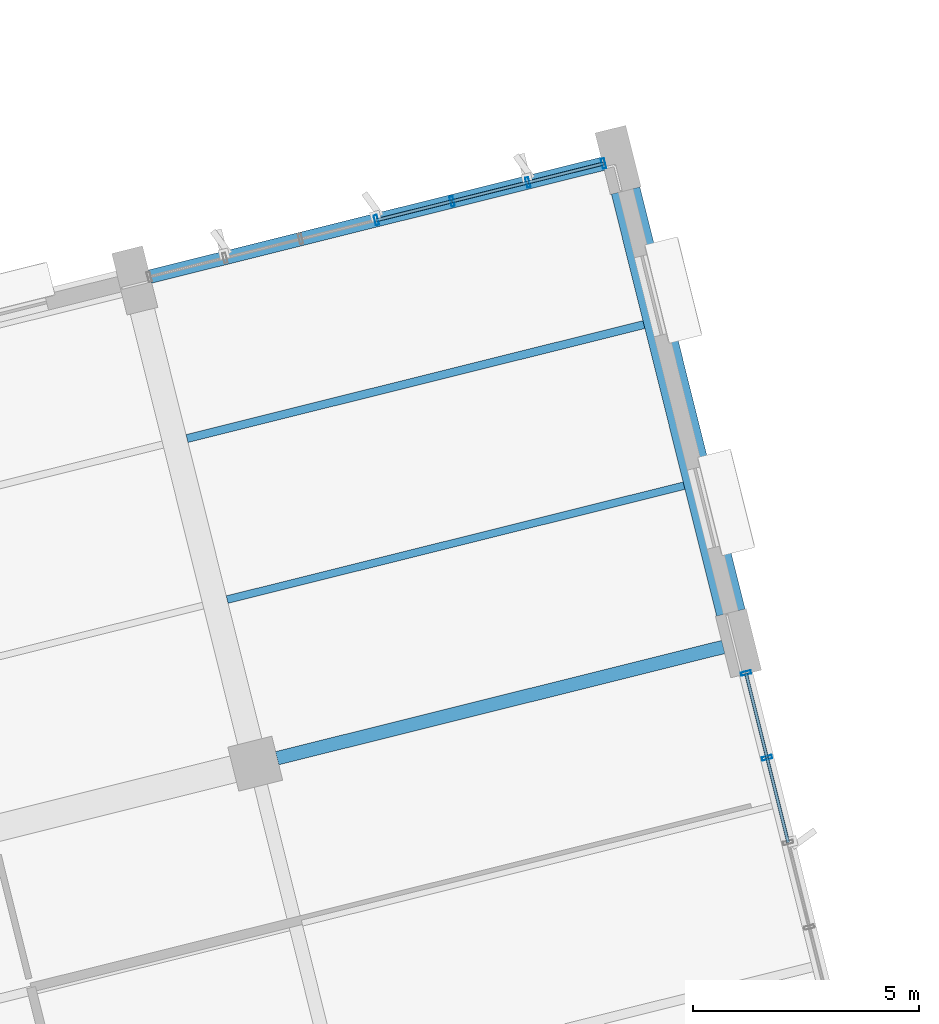
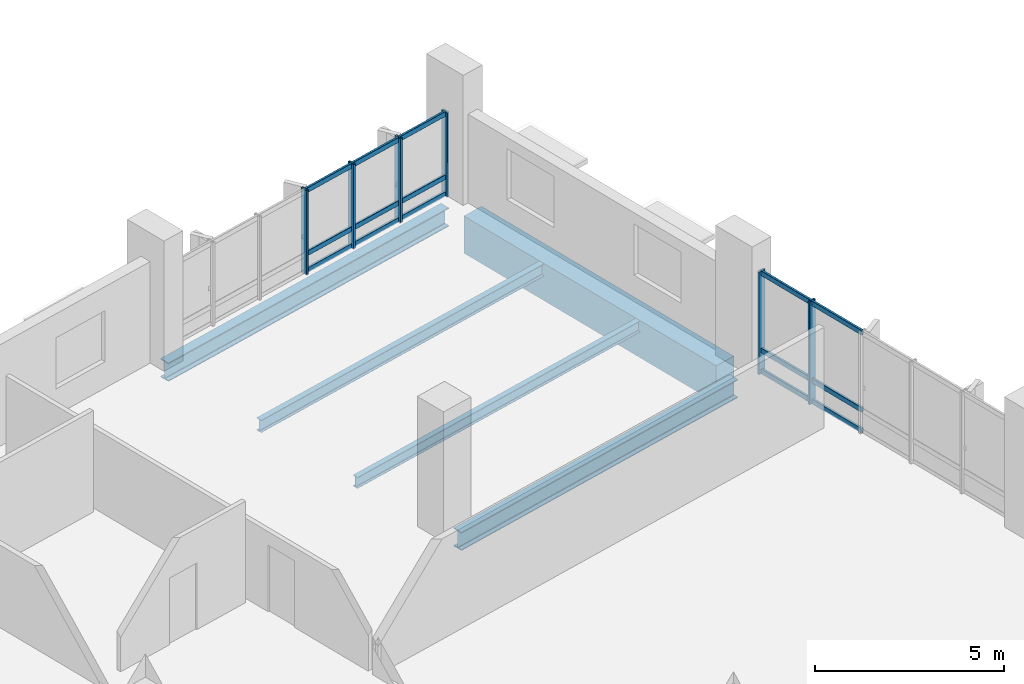
# One storey, part 49 of 75: 21 members, 5 beams, 2 elements without a shape of their own.
"""IFC4 building model written with IfcOpenShell, lengths in metres."""

from ifc_helpers import new_model, si_unit, direction, frame, origin, origin_2d, place, context, subcontext, project, spatial, rectangle, hollow_rectangle, i_section, extrude, material, layer, layer_set, material_profile, profile_set, type_object, element, aggregate, save


model = new_model("IFC4")

# Units and contexts
model_context = context("Model", 3, precision=1e-05, world=origin(), true_north=direction((0.0, 1.0)))
body_context = subcontext(model_context, "Body", "Model", "MODEL_VIEW")
ifc_project = project(units=[si_unit("LENGTHUNIT", "METRE"), si_unit("AREAUNIT", "SQUARE_METRE"), si_unit("VOLUMEUNIT", "CUBIC_METRE"), si_unit("PLANEANGLEUNIT", "RADIAN"), si_unit("MASSUNIT", "GRAM", prefix="KILO")], contexts=[model_context])

# Site, building, storey
site_placement = place(None, origin())
site = spatial("IfcSite", under=ifc_project, at=site_placement, CompositionType="ELEMENT")
building_placement = place(site_placement, origin())
building = spatial("IfcBuilding", under=site, at=building_placement, Name="Khorjan Park Terminus", CompositionType="ELEMENT")
storey_placement = place(building_placement, frame((0.0, 0.0, 16.2)))
storey = spatial("IfcBuildingStorey", under=building, at=storey_placement, Name="L03", CompositionType="ELEMENT", Elevation=16.2)

# Beams
ifc_material_1 = material(Name="Steel S355", Category="steel")
ifc_material_profile_1 = material_profile(ifc_material_1, i_section(OverallWidth=0.3, OverallDepth=0.59, WebThickness=0.013, FlangeThickness=0.025, FilletRadius=0.027, at=origin_2d()), Name="HEA 600")
ifc_profile_set_1 = profile_set([ifc_material_profile_1], Name="Steel S355")
beam_type_1 = type_object("IfcBeamType", Name="BM-HEA600", PredefinedType="BEAM", material=ifc_profile_set_1)
beam_1_placement = place(storey_placement, frame((206.5409, 68.7917, -0.645), z_axis=(0.97029631121, 0.241919549545, 0.0), x_axis=(-0.241919549545, 0.97029631121, 0.0)))
element("IfcBeam", 1, at=beam_1_placement, inside=storey, type_object=beam_type_1, Name="Primary skew-grid floor girder SB-A60 (L03)", PredefinedType="BEAM", context=body_context, shape_type="SweptSolid", body=[
    extrude(i_section(OverallWidth=0.3, OverallDepth=0.59, WebThickness=0.013, FlangeThickness=0.025, FilletRadius=0.027, at=origin_2d()), origin(), (0.0, 0.0, 1.0), 10.16),
])
ifc_material_profile_2 = material_profile(ifc_material_1, i_section(OverallWidth=0.3, OverallDepth=0.6, WebThickness=0.0155, FlangeThickness=0.03, FilletRadius=0.027, at=origin_2d()), Name="HEB 600")
ifc_profile_set_2 = profile_set([ifc_material_profile_2], Name="Steel S355")
beam_type_2 = type_object("IfcBeamType", Name="BM-HEB600", PredefinedType="BEAM", material=ifc_profile_set_2)
beam_2_placement = place(storey_placement, frame((203.7342, 79.4287, -0.65), z_axis=(0.970295784153, 0.241921663468, 0.0), x_axis=(-0.241921663468, 0.970295784153, 0.0)))
element("IfcBeam", 2, at=beam_2_placement, inside=storey, type_object=beam_type_2, Name="Primary skew-grid floor girder SB-B60 (L03)", PredefinedType="BEAM", context=body_context, shape_type="SweptSolid", body=[
    extrude(i_section(OverallWidth=0.3, OverallDepth=0.6, WebThickness=0.0155, FlangeThickness=0.03, FilletRadius=0.027, at=origin_2d()), origin(), (0.0, 0.0, 1.0), 10.3099),
])
ifc_material_2 = material(Name="Concrete C40/50", Category="concrete")
ifc_material_profile_3 = material_profile(ifc_material_2, rectangle(XDim=0.65, YDim=1.2, at=origin_2d()), Name="RC 650x1200")
ifc_profile_set_3 = profile_set([ifc_material_profile_3], Name="Concrete C40/50")
beam_type_3 = type_object("IfcBeamType", Name="BM-RC650x1200", PredefinedType="BEAM", material=ifc_profile_set_3)
beam_3_placement = place(storey_placement, frame((216.5657, 72.0075, -0.95), z_axis=(-0.241925915978, 0.970294723874, 0.0), x_axis=(-0.970294723874, -0.241925915978, 0.0)))
element("IfcBeam", 3, at=beam_3_placement, inside=storey, type_object=beam_type_3, Name="Primary skew-grid floor girder GB-12 (L03)", PredefinedType="BEAM", context=body_context, shape_type="SweptSolid", body=[
    extrude(rectangle(XDim=0.65, YDim=1.2, at=origin_2d()), origin(), (0.0, 0.0, 1.0), 9.61),
])
ifc_material_profile_4 = material_profile(ifc_material_1, i_section(OverallWidth=0.17, OverallDepth=0.36, WebThickness=0.008, FlangeThickness=0.0127, FilletRadius=0.018, at=origin_2d()), Name="IPE 360")
ifc_profile_set_4 = profile_set([ifc_material_profile_4], Name="Steel S355")
beam_type_4 = type_object("IfcBeamType", Name="JS-IPE360", PredefinedType="JOIST", material=ifc_profile_set_4)
beam_4_placement = place(storey_placement, frame((205.4403, 72.2963, -0.53), z_axis=(0.970295586552, 0.241922456002, 0.0), x_axis=(-0.241922456002, 0.970295586552, 0.0)))
element("IfcBeam", 4, at=beam_4_placement, inside=storey, type_object=beam_type_4, Name="Secondary composite floor joist SJ-36 (L03)", PredefinedType="JOIST", context=body_context, shape_type="SweptSolid", body=[
    extrude(i_section(OverallWidth=0.17, OverallDepth=0.36, WebThickness=0.008, FlangeThickness=0.0127, FilletRadius=0.018, at=origin_2d()), origin(), (0.0, 0.0, 1.0), 10.4),
])
ifc_material_profile_5 = material_profile(ifc_material_1, i_section(OverallWidth=0.18, OverallDepth=0.4, WebThickness=0.0086, FlangeThickness=0.0135, FilletRadius=0.021, at=origin_2d()), Name="IPE 400")
ifc_profile_set_5 = profile_set([ifc_material_profile_5], Name="Steel S355")
beam_type_5 = type_object("IfcBeamType", Name="JS-IPE400", PredefinedType="JOIST", material=ifc_profile_set_5)
beam_5_placement = place(storey_placement, frame((204.5533, 75.854, -0.55), z_axis=(0.970295586552, 0.241922456002, 0.0), x_axis=(-0.241922456002, 0.970295586552, 0.0)))
element("IfcBeam", 5, at=beam_5_placement, inside=storey, type_object=beam_type_5, Name="Secondary composite floor joist SJ-40 (L03)", PredefinedType="JOIST", context=body_context, shape_type="SweptSolid", body=[
    extrude(i_section(OverallWidth=0.18, OverallDepth=0.4, WebThickness=0.0086, FlangeThickness=0.0135, FilletRadius=0.021, at=origin_2d()), origin(), (0.0, 0.0, 1.0), 10.4),
])

# Curtain wall, members
ifc_material_3 = material(Name="Anodized Bronze Aluminium", Category="aluminium")
ifc_layer = layer(ifc_material_3, 0.22)
ifc_layer_set = layer_set([ifc_layer], Name="Anodized Bronze Aluminium")
curtain_wall_type = type_object("IfcCurtainWallType", Name="CW-OPS-B", PredefinedType="NOTDEFINED", material=ifc_layer_set)
curtain_wall_1_placement = place(storey_placement, origin())
curtain_wall_1 = element("IfcCurtainWall", 6, at=curtain_wall_1_placement, inside=storey, type_object=curtain_wall_type, Name="Unitized curtain wall CW-B (CW-V5-E-L03-B05)", PredefinedType="NOTDEFINED")
ifc_material_profile_6 = material_profile(ifc_material_3, hollow_rectangle(XDim=0.075, YDim=0.225, WallThickness=0.005, InnerFilletRadius=0.005, OuterFilletRadius=0.01, at=origin_2d()), Name="ALM 75x225x5")
ifc_profile_set_6 = profile_set([ifc_material_profile_6], Name="Anodized Bronze Aluminium")
member_type_1 = type_object("IfcMemberType", Name="ML-ALM-225", PredefinedType="MULLION", material=ifc_profile_set_6)
member_1_placement = place(storey_placement, frame((217.3647, 68.8025, -0.035), z_axis=(0.0, 0.0, 1.0), x_axis=(-0.241935125171, 0.970292427678, 0.0)))
member_1 = element("IfcMember", 7, at=member_1_placement, type_object=member_type_1, Name="Curtain-wall mullion ML-22 (CW-V5-E-L03-B05-4)", PredefinedType="MULLION", context=body_context, shape_type="SweptSolid", body=[
    extrude(hollow_rectangle(XDim=0.075, YDim=0.225, WallThickness=0.005, InnerFilletRadius=0.005, OuterFilletRadius=0.01, at=origin_2d()), origin(), (0.0, 0.0, 1.0), 3.315),
])
member_2_placement = place(storey_placement, frame((216.8983, 70.6732, -0.035), z_axis=(0.0, 0.0, 1.0), x_axis=(-0.241935125171, 0.970292427678, 0.0)))
member_2 = element("IfcMember", 8, at=member_2_placement, type_object=member_type_1, Name="Curtain-wall mullion ML-22 (CW-V5-E-L03-B05-5)", PredefinedType="MULLION", context=body_context, shape_type="SweptSolid", body=[
    extrude(hollow_rectangle(XDim=0.075, YDim=0.225, WallThickness=0.005, InnerFilletRadius=0.005, OuterFilletRadius=0.01, at=origin_2d()), origin(), (0.0, 0.0, 1.0), 3.315),
])

curtain_wall_2_placement = place(storey_placement, origin())
curtain_wall_2 = element("IfcCurtainWall", 9, at=curtain_wall_2_placement, inside=storey, type_object=curtain_wall_type, Name="Unitized curtain wall CW-B (CW-V5-N-L03-B01)", PredefinedType="NOTDEFINED")
member_3_placement = place(storey_placement, frame((213.7527, 81.9266, -0.035), z_axis=(0.0, 0.0, 1.0), x_axis=(-0.970294194364, -0.241928039679, 0.0)))
member_3 = element("IfcMember", 10, at=member_3_placement, type_object=member_type_1, Name="Curtain-wall mullion ML-22 (CW-V5-N-L03-B01-0)", PredefinedType="MULLION", context=body_context, shape_type="SweptSolid", body=[
    extrude(hollow_rectangle(XDim=0.075, YDim=0.225, WallThickness=0.005, InnerFilletRadius=0.005, OuterFilletRadius=0.01, at=origin_2d()), origin(), (0.0, 0.0, 1.0), 2.735),
])
member_4_placement = place(storey_placement, frame((212.0805, 81.5096, -0.035), z_axis=(0.0, 0.0, 1.0), x_axis=(-0.970294194364, -0.241928039679, 0.0)))
member_4 = element("IfcMember", 11, at=member_4_placement, type_object=member_type_1, Name="Curtain-wall mullion ML-22 (CW-V5-N-L03-B01-1)", PredefinedType="MULLION", context=body_context, shape_type="SweptSolid", body=[
    extrude(hollow_rectangle(XDim=0.075, YDim=0.225, WallThickness=0.005, InnerFilletRadius=0.005, OuterFilletRadius=0.01, at=origin_2d()), origin(), (0.0, 0.0, 1.0), 2.735),
])
member_5_placement = place(storey_placement, frame((210.4082, 81.0927, -0.035), z_axis=(0.0, 0.0, 1.0), x_axis=(-0.970294194364, -0.241928039679, 0.0)))
member_5 = element("IfcMember", 12, at=member_5_placement, type_object=member_type_1, Name="Curtain-wall mullion ML-22 (CW-V5-N-L03-B01-2)", PredefinedType="MULLION", context=body_context, shape_type="SweptSolid", body=[
    extrude(hollow_rectangle(XDim=0.075, YDim=0.225, WallThickness=0.005, InnerFilletRadius=0.005, OuterFilletRadius=0.01, at=origin_2d()), origin(), (0.0, 0.0, 1.0), 2.735),
])
member_6_placement = place(storey_placement, frame((208.736, 80.6757, -0.035), z_axis=(0.0, 0.0, 1.0), x_axis=(-0.970294194364, -0.241928039679, 0.0)))
member_6 = element("IfcMember", 13, at=member_6_placement, type_object=member_type_1, Name="Curtain-wall mullion ML-22 (CW-V5-N-L03-B01-3)", PredefinedType="MULLION", context=body_context, shape_type="SweptSolid", body=[
    extrude(hollow_rectangle(XDim=0.075, YDim=0.225, WallThickness=0.005, InnerFilletRadius=0.005, OuterFilletRadius=0.01, at=origin_2d()), origin(), (0.0, 0.0, 1.0), 2.735),
])

# Member
ifc_material_profile_7 = material_profile(ifc_material_3, hollow_rectangle(XDim=0.07, YDim=0.16, WallThickness=0.004, InnerFilletRadius=0.004, OuterFilletRadius=0.008, at=origin_2d()), Name="ALT 70x160x4")
ifc_profile_set_7 = profile_set([ifc_material_profile_7], Name="Anodized Bronze Aluminium")
member_type_2 = type_object("IfcMemberType", Name="TR-ALT-160", PredefinedType="USERDEFINED", material=ifc_profile_set_7)
member_7_placement = place(storey_placement, frame((217.8312, 66.9318, 0.04), z_axis=(-0.241961988875, 0.97028572902, 0.0), x_axis=(-0.97028572902, -0.241961988875, 0.0)))
member_7 = element("IfcMember", 14, at=member_7_placement, type_object=member_type_2, Name="Curtain-wall transom TR-16 (CW-V5-E-L03-B05-3-1)", ObjectType="TRANSOM", PredefinedType="USERDEFINED", context=body_context, shape_type="SweptSolid", body=[
    extrude(hollow_rectangle(XDim=0.07, YDim=0.16, WallThickness=0.004, InnerFilletRadius=0.004, OuterFilletRadius=0.008, at=origin_2d()), origin(), (0.0, 0.0, 1.0), 1.928),
])

member_8_placement = place(storey_placement, frame((217.8312, 66.9318, 0.714), z_axis=(-0.241961988875, 0.97028572902, 0.0), x_axis=(-0.97028572902, -0.241961988875, 0.0)))
member_8 = element("IfcMember", 15, at=member_8_placement, type_object=member_type_2, Name="Curtain-wall transom TR-16 (CW-V5-E-L03-B05-3-2)", ObjectType="TRANSOM", PredefinedType="USERDEFINED", context=body_context, shape_type="SweptSolid", body=[
    extrude(hollow_rectangle(XDim=0.07, YDim=0.16, WallThickness=0.004, InnerFilletRadius=0.004, OuterFilletRadius=0.008, at=origin_2d()), origin(), (0.0, 0.0, 1.0), 1.928),
])

member_9_placement = place(storey_placement, frame((217.8312, 66.9318, 3.205), z_axis=(-0.241961988875, 0.97028572902, 0.0), x_axis=(-0.97028572902, -0.241961988875, 0.0)))
member_9 = element("IfcMember", 16, at=member_9_placement, type_object=member_type_2, Name="Curtain-wall transom TR-16 (CW-V5-E-L03-B05-3-3)", ObjectType="TRANSOM", PredefinedType="USERDEFINED", context=body_context, shape_type="SweptSolid", body=[
    extrude(hollow_rectangle(XDim=0.07, YDim=0.16, WallThickness=0.004, InnerFilletRadius=0.004, OuterFilletRadius=0.008, at=origin_2d()), origin(), (0.0, 0.0, 1.0), 1.928),
])

member_10_placement = place(storey_placement, frame((217.3647, 68.8025, 0.04), z_axis=(-0.241913157049, 0.970297905, 0.0), x_axis=(-0.970297905, -0.241913157049, 0.0)))
member_10 = element("IfcMember", 17, at=member_10_placement, type_object=member_type_2, Name="Curtain-wall transom TR-16 (CW-V5-E-L03-B05-4-1)", ObjectType="TRANSOM", PredefinedType="USERDEFINED", context=body_context, shape_type="SweptSolid", body=[
    extrude(hollow_rectangle(XDim=0.07, YDim=0.16, WallThickness=0.004, InnerFilletRadius=0.004, OuterFilletRadius=0.008, at=origin_2d()), origin(), (0.0, 0.0, 1.0), 1.928),
])

member_11_placement = place(storey_placement, frame((217.3647, 68.8025, 0.714), z_axis=(-0.241913157049, 0.970297905, 0.0), x_axis=(-0.970297905, -0.241913157049, 0.0)))
member_11 = element("IfcMember", 18, at=member_11_placement, type_object=member_type_2, Name="Curtain-wall transom TR-16 (CW-V5-E-L03-B05-4-2)", ObjectType="TRANSOM", PredefinedType="USERDEFINED", context=body_context, shape_type="SweptSolid", body=[
    extrude(hollow_rectangle(XDim=0.07, YDim=0.16, WallThickness=0.004, InnerFilletRadius=0.004, OuterFilletRadius=0.008, at=origin_2d()), origin(), (0.0, 0.0, 1.0), 1.928),
])

member_12_placement = place(storey_placement, frame((217.3647, 68.8025, 3.205), z_axis=(-0.241913157049, 0.970297905, 0.0), x_axis=(-0.970297905, -0.241913157049, 0.0)))
member_12 = element("IfcMember", 19, at=member_12_placement, type_object=member_type_2, Name="Curtain-wall transom TR-16 (CW-V5-E-L03-B05-4-3)", ObjectType="TRANSOM", PredefinedType="USERDEFINED", context=body_context, shape_type="SweptSolid", body=[
    extrude(hollow_rectangle(XDim=0.07, YDim=0.16, WallThickness=0.004, InnerFilletRadius=0.004, OuterFilletRadius=0.008, at=origin_2d()), origin(), (0.0, 0.0, 1.0), 1.928),
])

aggregate(curtain_wall_1, [member_1, member_2, member_7, member_8, member_9, member_10, member_11, member_12])

member_13_placement = place(storey_placement, frame((213.7527, 81.9266, 0.04), z_axis=(-0.970285685328, -0.241962164084, 0.0), x_axis=(0.241962164084, -0.970285685328, 0.0)))
member_13 = element("IfcMember", 20, at=member_13_placement, type_object=member_type_2, Name="Curtain-wall transom TR-16 (CW-V5-N-L03-B01-0-1)", ObjectType="TRANSOM", PredefinedType="USERDEFINED", context=body_context, shape_type="SweptSolid", body=[
    extrude(hollow_rectangle(XDim=0.07, YDim=0.16, WallThickness=0.004, InnerFilletRadius=0.004, OuterFilletRadius=0.008, at=origin_2d()), origin(), (0.0, 0.0, 1.0), 1.7234),
])

member_14_placement = place(storey_placement, frame((213.7527, 81.9266, 0.586), z_axis=(-0.970285685328, -0.241962164084, 0.0), x_axis=(0.241962164084, -0.970285685328, 0.0)))
member_14 = element("IfcMember", 21, at=member_14_placement, type_object=member_type_2, Name="Curtain-wall transom TR-16 (CW-V5-N-L03-B01-0-2)", ObjectType="TRANSOM", PredefinedType="USERDEFINED", context=body_context, shape_type="SweptSolid", body=[
    extrude(hollow_rectangle(XDim=0.07, YDim=0.16, WallThickness=0.004, InnerFilletRadius=0.004, OuterFilletRadius=0.008, at=origin_2d()), origin(), (0.0, 0.0, 1.0), 1.7234),
])

member_15_placement = place(storey_placement, frame((213.7527, 81.9266, 2.625), z_axis=(-0.970285685328, -0.241962164084, 0.0), x_axis=(0.241962164084, -0.970285685328, 0.0)))
member_15 = element("IfcMember", 22, at=member_15_placement, type_object=member_type_2, Name="Curtain-wall transom TR-16 (CW-V5-N-L03-B01-0-3)", ObjectType="TRANSOM", PredefinedType="USERDEFINED", context=body_context, shape_type="SweptSolid", body=[
    extrude(hollow_rectangle(XDim=0.07, YDim=0.16, WallThickness=0.004, InnerFilletRadius=0.004, OuterFilletRadius=0.008, at=origin_2d()), origin(), (0.0, 0.0, 1.0), 1.7234),
])

member_16_placement = place(storey_placement, frame((212.0805, 81.5096, 0.04), z_axis=(-0.970302701845, -0.241893916402, 0.0), x_axis=(0.241893916402, -0.970302701845, 0.0)))
member_16 = element("IfcMember", 23, at=member_16_placement, type_object=member_type_2, Name="Curtain-wall transom TR-16 (CW-V5-N-L03-B01-1-1)", ObjectType="TRANSOM", PredefinedType="USERDEFINED", context=body_context, shape_type="SweptSolid", body=[
    extrude(hollow_rectangle(XDim=0.07, YDim=0.16, WallThickness=0.004, InnerFilletRadius=0.004, OuterFilletRadius=0.008, at=origin_2d()), origin(), (0.0, 0.0, 1.0), 1.7235),
])

member_17_placement = place(storey_placement, frame((212.0805, 81.5096, 0.586), z_axis=(-0.970302701845, -0.241893916402, 0.0), x_axis=(0.241893916402, -0.970302701845, 0.0)))
member_17 = element("IfcMember", 24, at=member_17_placement, type_object=member_type_2, Name="Curtain-wall transom TR-16 (CW-V5-N-L03-B01-1-2)", ObjectType="TRANSOM", PredefinedType="USERDEFINED", context=body_context, shape_type="SweptSolid", body=[
    extrude(hollow_rectangle(XDim=0.07, YDim=0.16, WallThickness=0.004, InnerFilletRadius=0.004, OuterFilletRadius=0.008, at=origin_2d()), origin(), (0.0, 0.0, 1.0), 1.7235),
])

member_18_placement = place(storey_placement, frame((212.0805, 81.5096, 2.625), z_axis=(-0.970302701845, -0.241893916402, 0.0), x_axis=(0.241893916402, -0.970302701845, 0.0)))
member_18 = element("IfcMember", 25, at=member_18_placement, type_object=member_type_2, Name="Curtain-wall transom TR-16 (CW-V5-N-L03-B01-1-3)", ObjectType="TRANSOM", PredefinedType="USERDEFINED", context=body_context, shape_type="SweptSolid", body=[
    extrude(hollow_rectangle(XDim=0.07, YDim=0.16, WallThickness=0.004, InnerFilletRadius=0.004, OuterFilletRadius=0.008, at=origin_2d()), origin(), (0.0, 0.0, 1.0), 1.7235),
])

member_19_placement = place(storey_placement, frame((210.4082, 81.0927, 0.04), z_axis=(-0.970285685328, -0.241962164084, 0.0), x_axis=(0.241962164084, -0.970285685328, 0.0)))
member_19 = element("IfcMember", 26, at=member_19_placement, type_object=member_type_2, Name="Curtain-wall transom TR-16 (CW-V5-N-L03-B01-2-1)", ObjectType="TRANSOM", PredefinedType="USERDEFINED", context=body_context, shape_type="SweptSolid", body=[
    extrude(hollow_rectangle(XDim=0.07, YDim=0.16, WallThickness=0.004, InnerFilletRadius=0.004, OuterFilletRadius=0.008, at=origin_2d()), origin(), (0.0, 0.0, 1.0), 1.7234),
])

member_20_placement = place(storey_placement, frame((210.4082, 81.0927, 0.586), z_axis=(-0.970285685328, -0.241962164084, 0.0), x_axis=(0.241962164084, -0.970285685328, 0.0)))
member_20 = element("IfcMember", 27, at=member_20_placement, type_object=member_type_2, Name="Curtain-wall transom TR-16 (CW-V5-N-L03-B01-2-2)", ObjectType="TRANSOM", PredefinedType="USERDEFINED", context=body_context, shape_type="SweptSolid", body=[
    extrude(hollow_rectangle(XDim=0.07, YDim=0.16, WallThickness=0.004, InnerFilletRadius=0.004, OuterFilletRadius=0.008, at=origin_2d()), origin(), (0.0, 0.0, 1.0), 1.7234),
])

member_21_placement = place(storey_placement, frame((210.4082, 81.0927, 2.625), z_axis=(-0.970285685328, -0.241962164084, 0.0), x_axis=(0.241962164084, -0.970285685328, 0.0)))
member_21 = element("IfcMember", 28, at=member_21_placement, type_object=member_type_2, Name="Curtain-wall transom TR-16 (CW-V5-N-L03-B01-2-3)", ObjectType="TRANSOM", PredefinedType="USERDEFINED", context=body_context, shape_type="SweptSolid", body=[
    extrude(hollow_rectangle(XDim=0.07, YDim=0.16, WallThickness=0.004, InnerFilletRadius=0.004, OuterFilletRadius=0.008, at=origin_2d()), origin(), (0.0, 0.0, 1.0), 1.7234),
])

aggregate(curtain_wall_2, [member_3, member_4, member_5, member_6, member_13, member_14, member_15, member_16, member_17, member_18, member_19, member_20, member_21])

save(model, "model.ifc")
